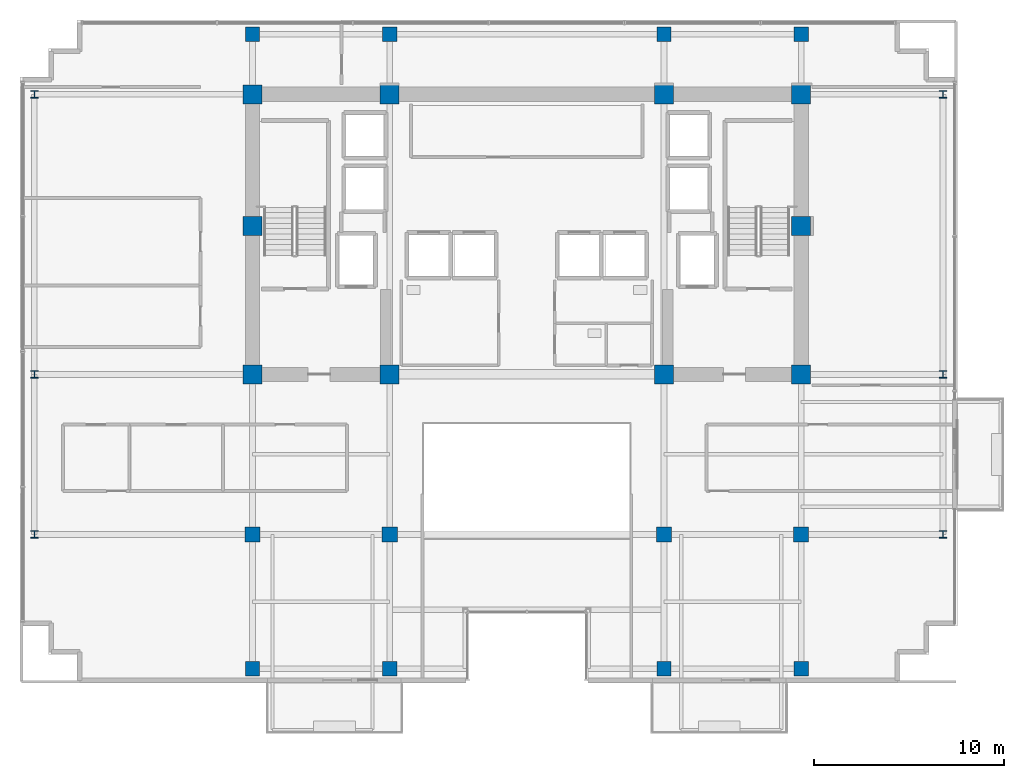
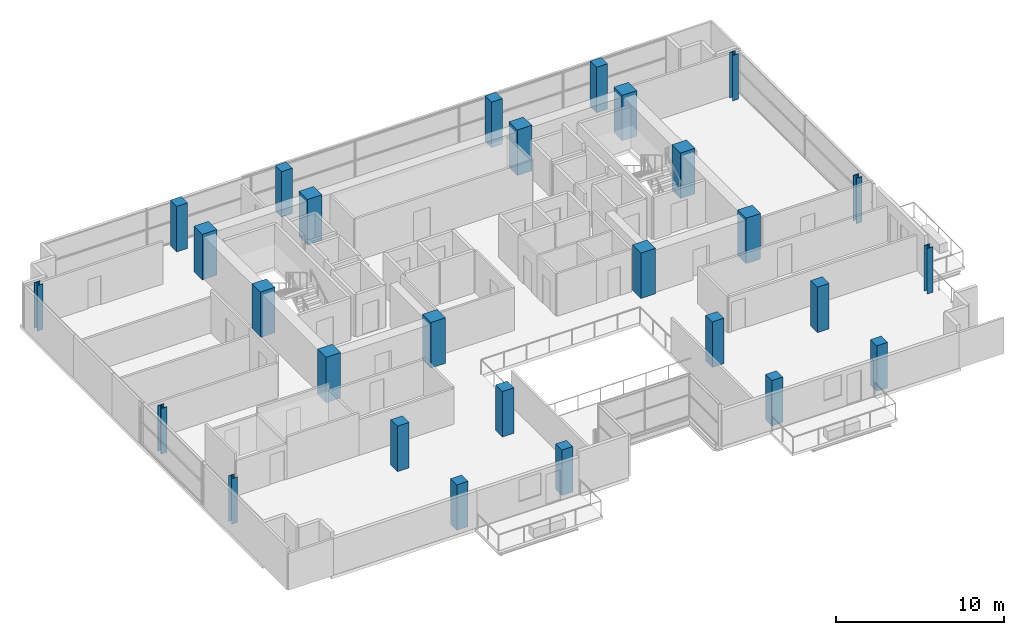
# One storey, part 1 of 25: 28 columns.
"""IFC4 building model written with IfcOpenShell, lengths in metres."""

import ifcopenshell
import ifcopenshell.guid

model = None  # the IFC model being written
_history = None  # IfcOwnerHistory: only IFC2X3 demands one
_inside = {}  # id of a spatial element -> (the spatial element, [elements in it])
_under = {}  # id of a project, library or spatial element -> (it, [spatial elements below it])
_declared = {}  # id of a project -> (the project, [libraries it declares])
_typed = {}  # id of a type object -> (the type object, [elements of that type])
_made_of = {}  # id of a material, layer set ... -> (it, [elements and type objects made of it])


def new_model(schema):
    """Start an empty IFC model of exactly this schema.

    Asked for "IFC4X3", IfcOpenShell would pick the latest addendum, in which some entities
    have other attributes; the version numbers below select the first issue.
    IFC2X3 requires an IfcOwnerHistory on every rooted entity: one is made here for all.
    """
    global model, _history
    if schema == "IFC4X3":
        model = ifcopenshell.file(schema_version=(4, 3, 0, 0))
    else:
        model = ifcopenshell.file(schema=schema)
    _inside.clear()
    _under.clear()
    _declared.clear()
    _typed.clear()
    _made_of.clear()
    _history = None
    if model.schema == "IFC2X3":
        org = make("IfcOrganization", Name="unknown")
        user = make(
            "IfcPersonAndOrganization",
            ThePerson=make("IfcPerson", FamilyName="unknown"),
            TheOrganization=org,
        )
        app = make(
            "IfcApplication",
            ApplicationDeveloper=org,
            Version="unknown",
            ApplicationFullName="unknown",
            ApplicationIdentifier="unknown",
        )
        _history = make(
            "IfcOwnerHistory",
            OwningUser=user,
            OwningApplication=app,
            ChangeAction="ADDED",
            CreationDate=0,
        )
    return model


def make(cls, **values):
    """One entity of the class cls with the attributes given. An attribute that is None is left unset."""
    return model.create_entity(
        cls, **{name: value for name, value in values.items() if value is not None}
    )


def rooted(cls, **values):
    """An entity with a GlobalId (a new one), such as an element, a storey or a relation."""
    return make(cls, GlobalId=ifcopenshell.guid.new(), OwnerHistory=_history, **values)


def si_unit(unit_type, name, prefix=None):
    """IfcSIUnit, for example si_unit("LENGTHUNIT", "METRE", prefix="MILLI")."""
    return make("IfcSIUnit", UnitType=unit_type, Prefix=prefix, Name=name)


def assignment(units):
    """IfcUnitAssignment: the units of a project."""
    return None if units is None else make("IfcUnitAssignment", Units=units)


def point(xyz):
    """IfcCartesianPoint."""
    return None if xyz is None else make("IfcCartesianPoint", Coordinates=xyz)


def direction(xyz):
    """IfcDirection."""
    return None if xyz is None else make("IfcDirection", DirectionRatios=xyz)


def frame(location, z_axis=None, x_axis=None):
    """IfcAxis2Placement3D, a coordinate frame: its origin and axes. An axis left out is left unset."""
    return make(
        "IfcAxis2Placement3D",
        Location=point(location),
        Axis=direction(z_axis),
        RefDirection=direction(x_axis),
    )


def frame_2d(location, x_axis=None):
    """IfcAxis2Placement2D, a coordinate frame in the plane: its origin and x axis."""
    return make(
        "IfcAxis2Placement2D", Location=point(location), RefDirection=direction(x_axis)
    )


def origin():
    """The frame at (0, 0, 0) with its axes left unset."""
    return frame((0.0, 0.0, 0.0))


def origin_2d():
    """The frame at (0, 0) in the plane with its x axis left unset."""
    return frame_2d((0.0, 0.0))


def place(relative_to, where):
    """IfcLocalPlacement: puts the frame where relative to a parent placement (None: the world)."""
    return make(
        "IfcLocalPlacement", PlacementRelTo=relative_to, RelativePlacement=where
    )


def context(
    kind, dimensions, precision=None, world=None, true_north=None, identifier=None
):
    """IfcGeometricRepresentationContext, for example the 3D "Model" context."""
    return make(
        "IfcGeometricRepresentationContext",
        ContextIdentifier=identifier,
        ContextType=kind,
        CoordinateSpaceDimension=dimensions,
        Precision=precision,
        WorldCoordinateSystem=world,
        TrueNorth=true_north,
    )


def subcontext(parent, identifier, kind, view, scale=None):
    """IfcGeometricRepresentationSubContext, for example "Body" below "Model"."""
    return make(
        "IfcGeometricRepresentationSubContext",
        ContextIdentifier=identifier,
        ContextType=kind,
        ParentContext=parent,
        TargetScale=scale,
        TargetView=view,
    )


def project(units=None, contexts=None):
    """IfcProject with its units and contexts."""
    return rooted(
        "IfcProject",
        Name="project",
        RepresentationContexts=contexts,
        UnitsInContext=assignment(units),
    )


def spatial(cls, under=None, at=None, **own):
    """A site, building, storey or space (cls), placed at a placement, below another one or the project."""
    s = rooted(cls, ObjectPlacement=at, **own)
    if under is not None:
        _under.setdefault(under.id(), (under, []))[1].append(s)
    return s


def profile(cls, at=None, kind="AREA", **sizes):
    """A parametric profile (cls). Its sizes go by their IFC names, for example OverallWidth=200.0."""
    return make(cls, ProfileType=kind, Position=at, **sizes)


def rectangle(**sizes):
    """IfcRectangleProfileDef."""
    return profile("IfcRectangleProfileDef", **sizes)


def i_section(**sizes):
    """IfcIShapeProfileDef."""
    return profile("IfcIShapeProfileDef", **sizes)


def extrude(swept, where, along, depth):
    """IfcExtrudedAreaSolid: the profile swept, set in the frame where, extruded along a direction by depth."""
    return make(
        "IfcExtrudedAreaSolid",
        SweptArea=swept,
        Position=where,
        ExtrudedDirection=direction(along),
        Depth=depth,
    )


def shape(context_of_items, identifier, shape_type, items):
    """IfcShapeRepresentation: the items that make up one representation, for example the "Body"."""
    return make(
        "IfcShapeRepresentation",
        ContextOfItems=context_of_items,
        RepresentationIdentifier=identifier,
        RepresentationType=shape_type,
        Items=items,
    )


def material(Name=None, Category=None):
    """IfcMaterial."""
    return make("IfcMaterial", Name=Name, Category=Category)


def material_profile(
    of_material, cross_section, Name=None, Category=None, Priority=None
):
    """IfcMaterialProfile: a cross section and its material."""
    return make(
        "IfcMaterialProfile",
        Name=Name,
        Material=of_material,
        Profile=cross_section,
        Priority=Priority,
        Category=Category,
    )


def profile_set(profiles, Name=None, composite=None):
    """IfcMaterialProfileSet."""
    return make(
        "IfcMaterialProfileSet",
        Name=Name,
        MaterialProfiles=profiles,
        CompositeProfile=composite,
    )


def made_of(thing, what):
    """Note that an element or type object is made of a material, layer set ...; save() writes the relation."""
    if what is not None:
        _made_of.setdefault(what.id(), (what, []))[1].append(thing)
    return thing


def type_object(cls, material=None, **own):
    """A type object (cls), such as IfcWallType, which elements share."""
    return made_of(rooted(cls, **own), material)


def element(
    cls,
    number,
    at=None,
    inside=None,
    cuts=None,
    type_object=None,
    material=None,
    context=None,
    identifier="Body",
    shape_type=None,
    held_by="IfcProductDefinitionShape",
    body=None,
    shapes=None,
    **own,
):
    """One element of the class cls, such as IfcWall. Its Tag is "e" and its number.

    at: its placement. inside: the storey or other place that contains it. cuts: it is an
    opening in that element (IfcRelVoidsElement). A single representation is given by context,
    identifier, shape_type and body (its items); several are given by shapes. held_by: the class
    of the entity that holds the representations. save() writes the other relations.
    """
    e = rooted(cls, Tag="e%d" % number, ObjectPlacement=at, **own)
    if body is not None:
        shapes = [shape(context, identifier, shape_type, body)]
    if shapes is not None:
        e.Representation = make(held_by, Representations=shapes)
    if inside is not None:
        _inside.setdefault(inside.id(), (inside, []))[1].append(e)
    if cuts is not None:
        rooted(
            "IfcRelVoidsElement", RelatingBuildingElement=cuts, RelatedOpeningElement=e
        )
    if type_object is not None:
        _typed.setdefault(type_object.id(), (type_object, []))[1].append(e)
    return made_of(e, material)


def aggregate(whole, parts):
    """IfcRelAggregates: a whole, such as a stair, and the parts it consists of."""
    return rooted("IfcRelAggregates", RelatingObject=whole, RelatedObjects=parts)


def save(model, path):
    """Write the relations noted so far, then the file.

    IfcRelAggregates (storeys below a building ...), IfcRelContainedInSpatialStructure (elements
    in a storey), IfcRelDefinesByType, IfcRelAssociatesMaterial and IfcRelDeclares: one each for
    every whole, place, type object, material and project.
    """
    for whole, parts in _under.values():
        aggregate(whole, parts)
    for where, things in _inside.values():
        rooted(
            "IfcRelContainedInSpatialStructure",
            RelatedElements=things,
            RelatingStructure=where,
        )
    for kind, things in _typed.values():
        rooted("IfcRelDefinesByType", RelatedObjects=things, RelatingType=kind)
    for what, things in _made_of.values():
        rooted("IfcRelAssociatesMaterial", RelatedObjects=things, RelatingMaterial=what)
    for by, libraries in _declared.values():
        rooted("IfcRelDeclares", RelatingContext=by, RelatedDefinitions=libraries)
    model.write(path)


model = new_model("IFC4")

# Units and contexts
model_context = context("Model", 3, precision=1e-05, world=origin(), true_north=direction((0.0, 1.0)))
body_context = subcontext(model_context, "Body", "Model", "MODEL_VIEW")
ifc_project = project(units=[si_unit("LENGTHUNIT", "METRE"), si_unit("AREAUNIT", "SQUARE_METRE"), si_unit("VOLUMEUNIT", "CUBIC_METRE"), si_unit("PLANEANGLEUNIT", "RADIAN"), si_unit("MASSUNIT", "GRAM", prefix="KILO")], contexts=[model_context])

# Site, building, storey
site_placement = place(None, origin())
site = spatial("IfcSite", under=ifc_project, at=site_placement, CompositionType="ELEMENT")
building_placement = place(site_placement, origin())
building = spatial("IfcBuilding", under=site, at=building_placement, Name="Zarnakvel Exchange Tower", CompositionType="ELEMENT")
storey_placement = place(building_placement, frame((0.0, 0.0, 169.300048828125)))
storey = spatial("IfcBuildingStorey", under=building, at=storey_placement, Name="L47", CompositionType="ELEMENT", Elevation=169.300048828125)

# Columns
ifc_material_1 = material(Name="Concrete C60/75", Category="concrete")
ifc_material_profile_1 = material_profile(ifc_material_1, rectangle(XDim=1.0, YDim=1.0, at=origin_2d()))
ifc_profile_set_1 = profile_set([ifc_material_profile_1], Name="Concrete C60/75")
column_type_1 = type_object("IfcColumnType", Name="CC-02", PredefinedType="COLUMN", material=ifc_profile_set_1)
for number, where, z_axis, x_axis, name in (
    (1, (-14.39990234375, -1.199951171875, 0.0), (0.0, 0.0, 1.0), (1.0, 0.0, 0.0), "L47 Column C-4D (CC-02)"),
    (2, (-7.199951171875, -1.199951171875, 0.0), (0.0, 0.0, 1.0), (1.0, 0.0, 0.0), "L47 Column C-5D (CC-02)"),
    (3, (7.199951171875, -1.199951171875, 0.0), (0.0, 0.0, 1.0), (1.0, 0.0, 0.0), "L47 Column C-8D (CC-02)"),
    (4, (14.39990234375, -1.199951171875, 0.0), (0.0, 0.0, 1.0), (1.0, 0.0, 0.0), "L47 Column C-9D (CC-02)"),
    (5, (-14.39990234375, 6.60009765625, 0.0), (0.0, 0.0, 1.0), (1.0, 0.0, 0.0), "L47 Column C-4E (CC-02)"),
    (6, (14.39990234375, 6.60009765625, 0.0), (0.0, 0.0, 1.0), (1.0, 0.0, 0.0), "L47 Column C-9E (CC-02)"),
    (7, (-14.39990234375, 13.5, 0.0), (0.0, 0.0, 1.0), (1.0, 0.0, 0.0), "L47 Column C-4F (CC-02)"),
    (8, (-7.199951171875, 13.5, 0.0), (0.0, 0.0, 1.0), (1.0, 0.0, 0.0), "L47 Column C-5F (CC-02)"),
    (9, (7.199951171875, 13.5, 0.0), (0.0, 0.0, 1.0), (1.0, 0.0, 0.0), "L47 Column C-8F (CC-02)"),
    (10, (14.39990234375, 13.5, 0.0), (0.0, 0.0, 1.0), (1.0, 0.0, 0.0), "L47 Column C-9F (CC-02)"),
):
    element("IfcColumn", number, at=place(storey_placement, frame(where, z_axis=z_axis, x_axis=x_axis)), inside=storey, type_object=column_type_1, Name=name, PredefinedType="COLUMN", context=body_context, shape_type="SweptSolid", body=[
        extrude(rectangle(XDim=1.0, YDim=1.0, at=origin_2d()), origin(), (0.0, 0.0, 1.0), 3.300048828125),
    ])
ifc_material_2 = material(Name="Steel S355", Category="steel")
ifc_material_profile_2 = material_profile(ifc_material_2, i_section(OverallWidth=0.39892578125, OverallDepth=0.3935546875, WebThickness=0.022705078125, FlangeThickness=0.03662109375, FilletRadius=0.01513671875, at=origin_2d()))
ifc_profile_set_2 = profile_set([ifc_material_profile_2], Name="Steel S355")
column_type_2 = type_object("IfcColumnType", Name="SC-04", PredefinedType="COLUMN", material=ifc_profile_set_2)
for number, where, z_axis, x_axis, name in (
    (11, (-25.85009765625, -9.60009765625, 0.0), (0.0, 0.0, 1.0), (1.0, 0.0, 0.0), "L47 Column TW-C (SC-04)"),
    (12, (21.85009765625, -9.60009765625, 0.0), (0.0, 0.0, 1.0), (1.0, 0.0, 0.0), "L47 Column TE-C (SC-04)"),
    (13, (-25.85009765625, -1.199951171875, 0.0), (0.0, 0.0, 1.0), (1.0, 0.0, 0.0), "L47 Column TW-D (SC-04)"),
    (14, (21.85009765625, -1.199951171875, 0.0), (0.0, 0.0, 1.0), (1.0, 0.0, 0.0), "L47 Column TE-D (SC-04)"),
    (15, (-25.85009765625, 13.5, 0.0), (0.0, 0.0, 1.0), (1.0, 0.0, 0.0), "L47 Column TW-F (SC-04)"),
    (16, (21.85009765625, 13.5, 0.0), (0.0, 0.0, 1.0), (1.0, 0.0, 0.0), "L47 Column TE-F (SC-04)"),
):
    element("IfcColumn", number, at=place(storey_placement, frame(where, z_axis=z_axis, x_axis=x_axis)), inside=storey, type_object=column_type_2, Name=name, PredefinedType="COLUMN", context=body_context, shape_type="SweptSolid", body=[
        extrude(i_section(OverallWidth=0.39892578125, OverallDepth=0.3935546875, WebThickness=0.022705078125, FlangeThickness=0.03662109375, FilletRadius=0.01513671875, at=origin_2d()), origin(), (0.0, 0.0, 1.0), 3.300048828125),
    ])
ifc_material_profile_3 = material_profile(ifc_material_1, rectangle(XDim=0.800048828125, YDim=0.800048828125, at=origin_2d()))
ifc_profile_set_3 = profile_set([ifc_material_profile_3], Name="Concrete C60/75")
column_type_3 = type_object("IfcColumnType", Name="TC-03", PredefinedType="COLUMN", material=ifc_profile_set_3)
for number, where, z_axis, x_axis, name in (
    (17, (-14.39990234375, -9.60009765625, 0.0), (0.0, 0.0, 1.0), (1.0, 0.0, 0.0), "L47 Column T-4C (TC-03)"),
    (18, (-7.199951171875, -9.60009765625, 0.0), (0.0, 0.0, 1.0), (1.0, 0.0, 0.0), "L47 Column T-5C (TC-03)"),
    (19, (7.199951171875, -9.60009765625, 0.0), (0.0, 0.0, 1.0), (1.0, 0.0, 0.0), "L47 Column T-8C (TC-03)"),
    (20, (14.39990234375, -9.60009765625, 0.0), (0.0, 0.0, 1.0), (1.0, 0.0, 0.0), "L47 Column T-9C (TC-03)"),
):
    element("IfcColumn", number, at=place(storey_placement, frame(where, z_axis=z_axis, x_axis=x_axis)), inside=storey, type_object=column_type_3, Name=name, PredefinedType="COLUMN", context=body_context, shape_type="SweptSolid", body=[
        extrude(rectangle(XDim=0.800048828125, YDim=0.800048828125, at=origin_2d()), origin(), (0.0, 0.0, 1.0), 3.300048828125),
    ])
ifc_material_3 = material(Name="Concrete C50/60", Category="concrete")
ifc_material_profile_4 = material_profile(ifc_material_3, rectangle(XDim=0.75, YDim=0.75, at=origin_2d()))
ifc_profile_set_4 = profile_set([ifc_material_profile_4], Name="Concrete C50/60")
column_type_4 = type_object("IfcColumnType", Name="TC-04", PredefinedType="COLUMN", material=ifc_profile_set_4)
for number, where, z_axis, x_axis, name in (
    (21, (-14.39990234375, -16.64990234375, 0.0), (0.0, 0.0, 1.0), (1.0, 0.0, 0.0), "L47 Column TS-4 (TC-04)"),
    (22, (-14.39990234375, 16.64990234375, 0.0), (0.0, 0.0, 1.0), (1.0, 0.0, 0.0), "L47 Column TN-4 (TC-04)"),
    (23, (-7.199951171875, -16.64990234375, 0.0), (0.0, 0.0, 1.0), (1.0, 0.0, 0.0), "L47 Column TS-5 (TC-04)"),
    (24, (-7.199951171875, 16.64990234375, 0.0), (0.0, 0.0, 1.0), (1.0, 0.0, 0.0), "L47 Column TN-5 (TC-04)"),
    (25, (7.199951171875, -16.64990234375, 0.0), (0.0, 0.0, 1.0), (1.0, 0.0, 0.0), "L47 Column TS-8 (TC-04)"),
    (26, (7.199951171875, 16.64990234375, 0.0), (0.0, 0.0, 1.0), (1.0, 0.0, 0.0), "L47 Column TN-8 (TC-04)"),
    (27, (14.39990234375, -16.64990234375, 0.0), (0.0, 0.0, 1.0), (1.0, 0.0, 0.0), "L47 Column TS-9 (TC-04)"),
    (28, (14.39990234375, 16.64990234375, 0.0), (0.0, 0.0, 1.0), (1.0, 0.0, 0.0), "L47 Column TN-9 (TC-04)"),
):
    element("IfcColumn", number, at=place(storey_placement, frame(where, z_axis=z_axis, x_axis=x_axis)), inside=storey, type_object=column_type_4, Name=name, PredefinedType="COLUMN", context=body_context, shape_type="SweptSolid", body=[
        extrude(rectangle(XDim=0.75, YDim=0.75, at=origin_2d()), origin(), (0.0, 0.0, 1.0), 3.300048828125),
    ])

save(model, "model.ifc")
